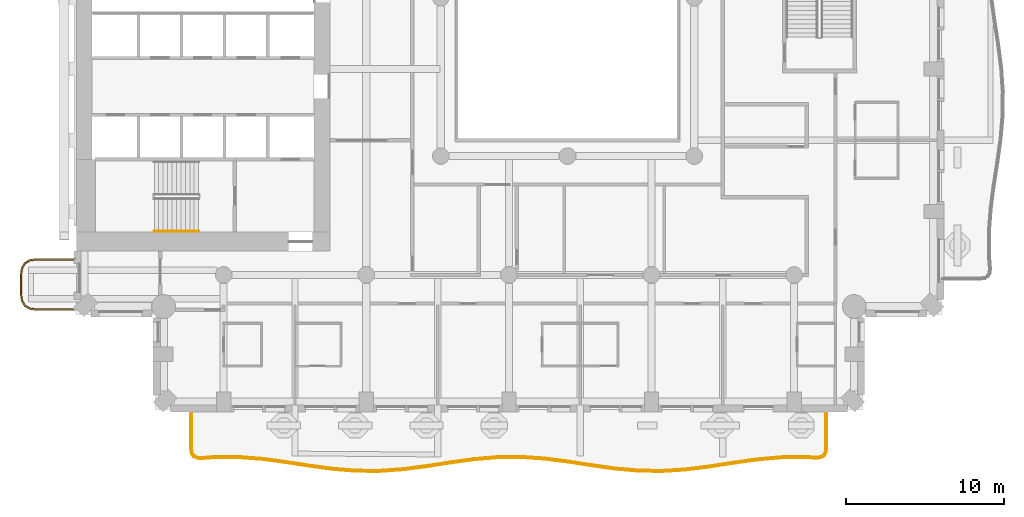
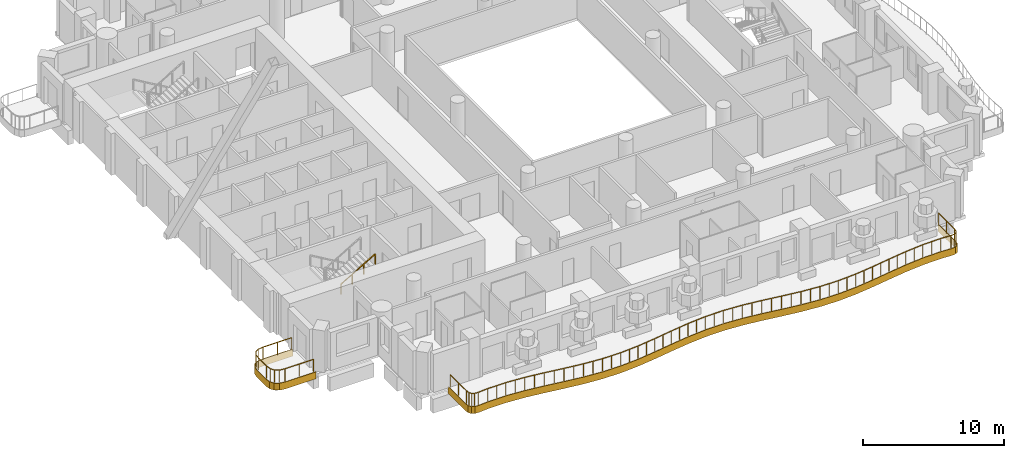
# One storey, part 14 of 21: 3 railings, 2 coverings.
"""IFC4 building model written with IfcOpenShell, lengths in metres."""

from ifc_helpers import new_model, si_unit, direction, frame, origin, origin_2d, place, context, subcontext, project, spatial, polyline, rectangle, outline, extrude, material, layer, layer_set, type_object, element, save


model = new_model("IFC4")

# Units and contexts
model_context = context("Model", 3, precision=1e-05, world=origin(), true_north=direction((0.0, 1.0)))
body_context = subcontext(model_context, "Body", "Model", "MODEL_VIEW")
ifc_project = project(units=[si_unit("LENGTHUNIT", "METRE"), si_unit("AREAUNIT", "SQUARE_METRE"), si_unit("VOLUMEUNIT", "CUBIC_METRE"), si_unit("PLANEANGLEUNIT", "RADIAN"), si_unit("MASSUNIT", "GRAM", prefix="KILO")], contexts=[model_context])

# Site, building, storey
site_placement = place(None, origin())
site = spatial("IfcSite", under=ifc_project, at=site_placement, CompositionType="ELEMENT")
building_placement = place(site_placement, origin())
building = spatial("IfcBuilding", under=site, at=building_placement, Name="Cypress Arch Tower", CompositionType="ELEMENT")
storey_placement = place(building_placement, frame((0.0, 0.0, 127.5)))
storey = spatial("IfcBuildingStorey", under=building, at=storey_placement, Name="L27", CompositionType="ELEMENT", Elevation=127.5)

# Coverings
ifc_material_1 = material(Name="White powder-coated aluminium fascia", Category="aluminium")
ifc_layer = layer(ifc_material_1, 0.050048828125)
ifc_layer_set = layer_set([ifc_layer], Name="Balcony fascia BF50")
covering_type = type_object("IfcCoveringType", Name="Balcony fascia BF50", PredefinedType="CLADDING", material=ifc_layer_set)
covering_1_placement = place(storey_placement, frame((0.0, 0.0, -0.60009765625)))
element("IfcCovering", 1, at=covering_1_placement, inside=storey, type_object=covering_type, Name="Balcony fascia L27-A00W1", PredefinedType="CLADDING", context=body_context, shape_type="SweptSolid", body=[
    extrude(outline(polyline([(-32.503662109375, -19.75), (-32.95458984375, -19.685546875), (-33.286376953125, -19.486328125), (-33.485595703125, -19.154541015625), (-33.550048828125, -18.70361328125), (-33.550048828125, -17.496337890625), (-33.485595703125, -17.04541015625), (-33.286376953125, -16.713623046875), (-32.95458984375, -16.514404296875), (-32.503662109375, -16.449951171875), (-30.0009765625, -16.449951171875), (-30.0009765625, -16.5), (-32.5, -16.5), (-32.9375, -16.5625), (-33.25, -16.75), (-33.4375, -17.0625), (-33.5, -17.5), (-33.5, -18.699951171875), (-33.4375, -19.137451171875), (-33.25, -19.449951171875), (-32.9375, -19.637451171875), (-32.5, -19.699951171875), (-30.0009765625, -19.699951171875), (-30.0009765625, -19.75), (-32.503662109375, -19.75)])), origin(), (0.0, 0.0, 1.0), 0.60009765625),
])
covering_2_placement = place(storey_placement, frame((0.0, 0.0, -0.60009765625)))
element("IfcCovering", 2, at=covering_2_placement, inside=storey, type_object=covering_type, Name="Balcony fascia L27-A03", PredefinedType="CLADDING", context=body_context, shape_type="SweptSolid", body=[
    extrude(outline(polyline([(17.39990234375, -28.4248046875), (17.356201171875, -28.72900390625), (17.218505859375, -28.951171875), (16.98876953125, -29.07568359375), (16.682373046875, -29.1015625), (15.86376953125, -29.0537109375), (14.382568359375, -29.083984375), (12.900390625, -29.223388671875), (11.41650390625, -29.435302734375), (9.930908203125, -29.66455078125), (8.443603515625, -29.8505859375), (6.954833984375, -29.9443359375), (5.4658203125, -29.921142578125), (3.9775390625, -29.786865234375), (2.49072265625, -29.577392578125), (1.005859375, -29.347412109375), (-0.47705078125, -29.157958984375), (-1.958740234375, -29.05810546875), (-3.440185546875, -29.07421875), (-4.922119140625, -29.201904296875), (-6.40576171875, -29.407958984375), (-7.89111328125, -29.63818359375), (-9.37841796875, -29.83251953125), (-10.866943359375, -29.939208984375), (-12.35595703125, -29.93017578125), (-13.84423828125, -29.807861328125), (-15.331298828125, -29.604736328125), (-16.81640625, -29.3740234375), (-18.299560546875, -29.1767578125), (-19.781494140625, -29.064208984375), (-21.262939453125, -29.06591796875), (-22.081298828125, -29.1298828125), (-22.387939453125, -29.10986328125), (-22.6181640625, -28.9892578125), (-22.756103515625, -28.76904296875), (-22.800048828125, -28.465087890625), (-22.800048828125, -26.0009765625), (-22.75, -26.0009765625), (-22.75, -28.46142578125), (-22.708251953125, -28.75146484375), (-22.5830078125, -28.951171875), (-22.3740234375, -29.060546875), (-22.081787109375, -29.07958984375), (-21.264892578125, -29.015869140625), (-19.779541015625, -29.01416015625), (-18.29443359375, -29.126953125), (-16.809326171875, -29.324462890625), (-15.323974609375, -29.55517578125), (-13.8388671875, -29.758056640625), (-12.353759765625, -29.880126953125), (-10.868408203125, -29.88916015625), (-9.38330078125, -29.78271484375), (-7.898193359375, -29.5888671875), (-6.412841796875, -29.3583984375), (-4.927734375, -29.152099609375), (-3.442626953125, -29.024169921875), (-1.95751953125, -29.008056640625), (-0.47216796875, -29.108154296875), (1.012939453125, -29.298095703125), (2.498046875, -29.52783203125), (3.9833984375, -29.7373046875), (5.468505859375, -29.87109375), (6.95361328125, -29.894287109375), (8.43896484375, -29.80078125), (9.924072265625, -29.614990234375), (11.4091796875, -29.385986328125), (12.89453125, -29.173583984375), (14.379638671875, -29.033935546875), (15.86474609375, -29.003662109375), (16.681640625, -29.051513671875), (16.97412109375, -29.02685546875), (17.182861328125, -28.91357421875), (17.308349609375, -28.711669921875), (17.35009765625, -28.421142578125), (17.35009765625, -26.0009765625), (17.39990234375, -26.0009765625), (17.39990234375, -28.4248046875)])), origin(), (0.0, 0.0, 1.0), 0.60009765625),
])

# Railings
ifc_material_2 = material(Name="Powder-coated steel posts and rods, 100 mm clear between rods", Category="steel")
railing_type_1 = type_object("IfcRailingType", Name="Balcony guard GR1100", PredefinedType="GUARDRAIL", material=ifc_material_2)
railing_1_placement = place(storey_placement, frame((-30.14990234375, -19.64990234375, 0.0)))
element("IfcRailing", 3, at=railing_1_placement, inside=storey, type_object=railing_type_1, Name="Balcony guard L27-A00W1", PredefinedType="GUARDRAIL", context=body_context, shape_type="SweptSolid", body=[
    extrude(rectangle(XDim=0.050048828125, YDim=0.050048828125, at=origin_2d()), frame((0.0, 0.0, 1.0751953125), z_axis=(-1.0, 0.0, 0.0), x_axis=(0.0, -1.0, 0.0)), (0.0, 0.0, 1.0), 2.346435546875),
    extrude(rectangle(XDim=0.050048828125, YDim=0.050048828125, at=origin_2d()), frame((-2.346435546875, 0.0, 1.0751953125), z_axis=(-0.989960888959, 0.141341566184, 0.0), x_axis=(-0.141341566184, -0.989960888959, 0.0)), (0.0, 0.0, 1.0), 0.428466796875),
    extrude(rectangle(XDim=0.050048828125, YDim=0.050048828125, at=origin_2d()), frame((-2.7705078125, 0.060546875, 1.0751953125), z_axis=(-0.857681904839, 0.514180659021, 0.0), x_axis=(-0.514180659021, -0.857681904839, 0.0)), (0.0, 0.0, 1.0), 0.341796875),
    extrude(rectangle(XDim=0.050048828125, YDim=0.050048828125, at=origin_2d()), frame((-3.063720703125, 0.236328125, 1.0751953125), z_axis=(-0.514180659021, 0.857681904839, 0.0), x_axis=(-0.857681904839, -0.514180659021, 0.0)), (0.0, 0.0, 1.0), 0.341796875),
    extrude(rectangle(XDim=0.050048828125, YDim=0.050048828125, at=origin_2d()), frame((-3.239501953125, 0.529541015625, 1.0751953125), z_axis=(-0.141421356237, 0.989949493661, 0.0), x_axis=(-0.989949493661, -0.141421356237, 0.0)), (0.0, 0.0, 1.0), 0.42822265625),
    extrude(rectangle(XDim=0.050048828125, YDim=0.050048828125, at=origin_2d()), frame((-3.300048828125, 0.953369140625, 1.0751953125), z_axis=(0.0, 1.0, 0.0), x_axis=(-1.0, 0.0, 0.0)), (0.0, 0.0, 1.0), 1.19287109375),
    extrude(rectangle(XDim=0.050048828125, YDim=0.050048828125, at=origin_2d()), frame((-3.300048828125, 2.146240234375, 1.0751953125), z_axis=(0.141341566184, 0.989960888959, 0.0), x_axis=(-0.989960888959, 0.141341566184, 0.0)), (0.0, 0.0, 1.0), 0.428466796875),
    extrude(rectangle(XDim=0.050048828125, YDim=0.050048828125, at=origin_2d()), frame((-3.239501953125, 2.5703125, 1.0751953125), z_axis=(0.514180659021, 0.857681904839, 0.0), x_axis=(-0.857681904839, 0.514180659021, 0.0)), (0.0, 0.0, 1.0), 0.341796875),
    extrude(rectangle(XDim=0.050048828125, YDim=0.050048828125, at=origin_2d()), frame((-3.063720703125, 2.863525390625, 1.0751953125), z_axis=(0.857681904839, 0.514180659021, 0.0), x_axis=(-0.514180659021, 0.857681904839, 0.0)), (0.0, 0.0, 1.0), 0.341796875),
    extrude(rectangle(XDim=0.050048828125, YDim=0.050048828125, at=origin_2d()), frame((-2.7705078125, 3.039306640625, 1.0751953125), z_axis=(0.989960888959, 0.141341566184, 0.0), x_axis=(-0.141341566184, 0.989960888959, 0.0)), (0.0, 0.0, 1.0), 0.428466796875),
    extrude(rectangle(XDim=0.050048828125, YDim=0.050048828125, at=origin_2d()), frame((-2.346435546875, 3.099853515625, 1.0751953125), z_axis=(1.0, 0.0, 0.0), x_axis=(0.0, 1.0, 0.0)), (0.0, 0.0, 1.0), 2.346435546875),
    extrude(rectangle(XDim=0.0400390625, YDim=0.0400390625, at=origin_2d()), origin(), (0.0, 0.0, 1.0), 1.050048828125),
    extrude(rectangle(XDim=0.0400390625, YDim=0.0400390625, at=origin_2d()), frame((-1.17333984375, 0.0, 0.0)), (0.0, 0.0, 1.0), 1.050048828125),
    extrude(rectangle(XDim=0.0400390625, YDim=0.0400390625, at=origin_2d()), frame((-2.346435546875, 0.0, 0.0)), (0.0, 0.0, 1.0), 1.050048828125),
    extrude(rectangle(XDim=0.0400390625, YDim=0.0400390625, at=origin_2d()), frame((-2.7705078125, 0.060546875, 0.0)), (0.0, 0.0, 1.0), 1.050048828125),
    extrude(rectangle(XDim=0.0400390625, YDim=0.0400390625, at=origin_2d()), frame((-3.063720703125, 0.236328125, 0.0)), (0.0, 0.0, 1.0), 1.050048828125),
    extrude(rectangle(XDim=0.0400390625, YDim=0.0400390625, at=origin_2d()), frame((-3.239501953125, 0.529541015625, 0.0)), (0.0, 0.0, 1.0), 1.050048828125),
    extrude(rectangle(XDim=0.0400390625, YDim=0.0400390625, at=origin_2d()), frame((-3.300048828125, 0.953369140625, 0.0)), (0.0, 0.0, 1.0), 1.050048828125),
    extrude(rectangle(XDim=0.0400390625, YDim=0.0400390625, at=origin_2d()), frame((-3.300048828125, 2.146240234375, 0.0)), (0.0, 0.0, 1.0), 1.050048828125),
    extrude(rectangle(XDim=0.0400390625, YDim=0.0400390625, at=origin_2d()), frame((-3.239501953125, 2.5703125, 0.0)), (0.0, 0.0, 1.0), 1.050048828125),
    extrude(rectangle(XDim=0.0400390625, YDim=0.0400390625, at=origin_2d()), frame((-3.063720703125, 2.863525390625, 0.0)), (0.0, 0.0, 1.0), 1.050048828125),
    extrude(rectangle(XDim=0.0400390625, YDim=0.0400390625, at=origin_2d()), frame((-2.7705078125, 3.039306640625, 0.0)), (0.0, 0.0, 1.0), 1.050048828125),
    extrude(rectangle(XDim=0.0400390625, YDim=0.0400390625, at=origin_2d()), frame((-2.346435546875, 3.099853515625, 0.0)), (0.0, 0.0, 1.0), 1.050048828125),
    extrude(rectangle(XDim=0.0400390625, YDim=0.0400390625, at=origin_2d()), frame((-1.17333984375, 3.099853515625, 0.0)), (0.0, 0.0, 1.0), 1.050048828125),
    extrude(rectangle(XDim=0.0400390625, YDim=0.0400390625, at=origin_2d()), frame((0.0, 3.099853515625, 0.0)), (0.0, 0.0, 1.0), 1.050048828125),
])
railing_2_placement = place(storey_placement, frame((17.300048828125, -26.14990234375, 0.0)))
element("IfcRailing", 4, at=railing_2_placement, inside=storey, type_object=railing_type_1, Name="Balcony guard L27-A03", PredefinedType="GUARDRAIL", context=body_context, shape_type="SweptSolid", body=[
    extrude(rectangle(XDim=0.050048828125, YDim=0.050048828125, at=origin_2d()), frame((0.0, 0.0, 1.0751953125), z_axis=(0.0, -1.0, 0.0), x_axis=(1.0, 0.0, 0.0)), (0.0, 0.0, 1.0), 2.267578125),
    extrude(rectangle(XDim=0.050048828125, YDim=0.050048828125, at=origin_2d()), frame((0.0, -2.267578125, 1.0751953125), z_axis=(-0.142399739356, -0.989809231232, 0.0), x_axis=(0.989809231232, -0.142399739356, 0.0)), (0.0, 0.0, 1.0), 0.279541015625),
    extrude(rectangle(XDim=0.050048828125, YDim=0.050048828125, at=origin_2d()), frame((-0.039794921875, -2.544189453125, 1.0751953125), z_axis=(-0.527533393135, -0.849534295439, 0.0), x_axis=(0.849534295439, -0.527533393135, 0.0)), (0.0, 0.0, 1.0), 0.2138671875),
    extrude(rectangle(XDim=0.050048828125, YDim=0.050048828125, at=origin_2d()), frame((-0.152587890625, -2.725830078125, 1.0751953125), z_axis=(-0.878853431666, -0.477091862904, 0.0), x_axis=(0.477091862904, -0.878853431666, 0.0)), (0.0, 0.0, 1.0), 0.2138671875),
    extrude(rectangle(XDim=0.050048828125, YDim=0.050048828125, at=origin_2d()), frame((-0.340576171875, -2.827880859375, 1.0751953125), z_axis=(-0.996405852593, -0.084707596583, 0.0), x_axis=(0.084707596583, -0.996405852593, 0.0)), (0.0, 0.0, 1.0), 0.279541015625),
    extrude(rectangle(XDim=0.050048828125, YDim=0.050048828125, at=origin_2d()), frame((-0.619140625, -2.8515625, 1.0751953125), z_axis=(-0.998281582304, 0.058599338165, 0.0), x_axis=(-0.058599338165, -0.998281582304, 0.0)), (0.0, 0.0, 1.0), 0.816650390625),
    extrude(rectangle(XDim=0.050048828125, YDim=0.050048828125, at=origin_2d()), frame((-1.434326171875, -2.8037109375, 1.0751953125), z_axis=(-0.999790040287, -0.020490859983, 0.0), x_axis=(0.020490859983, -0.999790040287, 0.0)), (0.0, 0.0, 1.0), 1.4892578125),
    extrude(rectangle(XDim=0.050048828125, YDim=0.050048828125, at=origin_2d()), frame((-2.92333984375, -2.834228515625, 1.0751953125), z_axis=(-0.995609998671, -0.09359877428, 0.0), x_axis=(0.09359877428, -0.995609998671, 0.0)), (0.0, 0.0, 1.0), 1.49462890625),
    extrude(rectangle(XDim=0.050048828125, YDim=0.050048828125, at=origin_2d()), frame((-4.411376953125, -2.97412109375, 1.0751953125), z_axis=(-0.989949493661, -0.141421356237, 0.0), x_axis=(0.141421356237, -0.989949493661, 0.0)), (0.0, 0.0, 1.0), 1.501953125),
    extrude(rectangle(XDim=0.050048828125, YDim=0.050048828125, at=origin_2d()), frame((-5.898193359375, -3.1865234375, 1.0751953125), z_axis=(-0.988311495715, -0.15244798273, 0.0), x_axis=(0.15244798273, -0.988311495715, 0.0)), (0.0, 0.0, 1.0), 1.502197265625),
    extrude(rectangle(XDim=0.050048828125, YDim=0.050048828125, at=origin_2d()), frame((-7.3828125, -3.41552734375, 1.0751953125), z_axis=(-0.992262789781, -0.12415537047, 0.0), x_axis=(0.12415537047, -0.992262789781, 0.0)), (0.0, 0.0, 1.0), 1.494384765625),
    extrude(rectangle(XDim=0.050048828125, YDim=0.050048828125, at=origin_2d()), frame((-8.86572265625, -3.60107421875, 1.0751953125), z_axis=(-0.998024967021, -0.062818510035, 0.0), x_axis=(0.062818510035, -0.998024967021, 0.0)), (0.0, 0.0, 1.0), 1.484619140625),
    extrude(rectangle(XDim=0.050048828125, YDim=0.050048828125, at=origin_2d()), frame((-10.347412109375, -3.6943359375, 1.0751953125), z_axis=(-0.999880034488, 0.015489242459, 0.0), x_axis=(-0.015489242459, -0.999880034488, 0.0)), (0.0, 0.0, 1.0), 1.481689453125),
    extrude(rectangle(XDim=0.050048828125, YDim=0.050048828125, at=origin_2d()), frame((-11.828857421875, -3.67138671875, 1.0751953125), z_axis=(-0.995950824457, 0.089899695569, 0.0), x_axis=(-0.089899695569, -0.995950824457, 0.0)), (0.0, 0.0, 1.0), 1.48828125),
    extrude(rectangle(XDim=0.050048828125, YDim=0.050048828125, at=origin_2d()), frame((-13.31103515625, -3.53759765625, 1.0751953125), z_axis=(-0.990202085007, 0.139641794776, 0.0), x_axis=(-0.139641794776, -0.990202085007, 0.0)), (0.0, 0.0, 1.0), 1.498291015625),
    extrude(rectangle(XDim=0.050048828125, YDim=0.050048828125, at=origin_2d()), frame((-14.794677734375, -3.328369140625, 1.0751953125), z_axis=(-0.988249318874, 0.152850527459, 0.0), x_axis=(-0.152850527459, -0.988249318874, 0.0)), (0.0, 0.0, 1.0), 1.5029296875),
    extrude(rectangle(XDim=0.050048828125, YDim=0.050048828125, at=origin_2d()), frame((-16.280029296875, -3.0986328125, 1.0751953125), z_axis=(-0.991923212799, 0.12683981989, 0.0), x_axis=(-0.12683981989, -0.991923212799, 0.0)), (0.0, 0.0, 1.0), 1.49951171875),
    extrude(rectangle(XDim=0.050048828125, YDim=0.050048828125, at=origin_2d()), frame((-17.767333984375, -2.908447265625, 1.0751953125), z_axis=(-0.997736386655, 0.067246581652, 0.0), x_axis=(-0.067246581652, -0.997736386655, 0.0)), (0.0, 0.0, 1.0), 1.4921875),
    extrude(rectangle(XDim=0.050048828125, YDim=0.050048828125, at=origin_2d()), frame((-19.256103515625, -2.80810546875, 1.0751953125), z_axis=(-0.999941453294, -0.010820812579, 0.0), x_axis=(0.010820812579, -0.999941453294, 0.0)), (0.0, 0.0, 1.0), 1.489013671875),
    extrude(rectangle(XDim=0.050048828125, YDim=0.050048828125, at=origin_2d()), frame((-20.7451171875, -2.82421875, 1.0751953125), z_axis=(-0.996298014389, -0.085966659378, 0.0), x_axis=(0.085966659378, -0.996298014389, 0.0)), (0.0, 0.0, 1.0), 1.493896484375),
    extrude(rectangle(XDim=0.050048828125, YDim=0.050048828125, at=origin_2d()), frame((-22.2333984375, -2.95263671875, 1.0751953125), z_axis=(-0.990488579214, -0.137594965191, 0.0), x_axis=(0.137594965191, -0.990488579214, 0.0)), (0.0, 0.0, 1.0), 1.5009765625),
    extrude(rectangle(XDim=0.050048828125, YDim=0.050048828125, at=origin_2d()), frame((-23.72021484375, -3.1591796875, 1.0751953125), z_axis=(-0.988196386101, -0.153192370885, 0.0), x_axis=(0.153192370885, -0.988196386101, 0.0)), (0.0, 0.0, 1.0), 1.5029296875),
    extrude(rectangle(XDim=0.050048828125, YDim=0.050048828125, at=origin_2d()), frame((-25.205322265625, -3.389404296875, 1.0751953125), z_axis=(-0.991587663956, -0.129436875311, 0.0), x_axis=(0.129436875311, -0.991587663956, 0.0)), (0.0, 0.0, 1.0), 1.495849609375),
    extrude(rectangle(XDim=0.050048828125, YDim=0.050048828125, at=origin_2d()), frame((-26.6884765625, -3.5830078125, 1.0751953125), z_axis=(-0.997441150114, -0.071492321684, 0.0), x_axis=(0.071492321684, -0.997441150114, 0.0)), (0.0, 0.0, 1.0), 1.485595703125),
    extrude(rectangle(XDim=0.050048828125, YDim=0.050048828125, at=origin_2d()), frame((-28.170166015625, -3.689208984375, 1.0751953125), z_axis=(-0.999981410393, 0.006097447624, 0.0), x_axis=(-0.006097447624, -0.999981410393, 0.0)), (0.0, 0.0, 1.0), 1.4814453125),
    extrude(rectangle(XDim=0.050048828125, YDim=0.050048828125, at=origin_2d()), frame((-29.651611328125, -3.68017578125, 1.0751953125), z_axis=(-0.996651382004, 0.081768103499, 0.0), x_axis=(-0.081768103499, -0.996651382004, 0.0)), (0.0, 0.0, 1.0), 1.48681640625),
    extrude(rectangle(XDim=0.050048828125, YDim=0.050048828125, at=origin_2d()), frame((-31.133544921875, -3.55859375, 1.0751953125), z_axis=(-0.990776507251, 0.135506135208, 0.0), x_axis=(-0.135506135208, -0.990776507251, 0.0)), (0.0, 0.0, 1.0), 1.497314453125),
    extrude(rectangle(XDim=0.050048828125, YDim=0.050048828125, at=origin_2d()), frame((-32.616943359375, -3.355712890625, 1.0751953125), z_axis=(-0.988171781301, 0.153351004693, 0.0), x_axis=(-0.153351004693, -0.988171781301, 0.0)), (0.0, 0.0, 1.0), 1.5029296875),
    extrude(rectangle(XDim=0.050048828125, YDim=0.050048828125, at=origin_2d()), frame((-34.10205078125, -3.125244140625, 1.0751953125), z_axis=(-0.991254880606, 0.131961212766, 0.0), x_axis=(-0.131961212766, -0.991254880606, 0.0)), (0.0, 0.0, 1.0), 1.50048828125),
    extrude(rectangle(XDim=0.050048828125, YDim=0.050048828125, at=origin_2d()), frame((-35.58935546875, -2.92724609375, 1.0751953125), z_axis=(-0.997129046234, 0.075720969068, 0.0), x_axis=(-0.075720969068, -0.997129046234, 0.0)), (0.0, 0.0, 1.0), 1.492919921875),
    extrude(rectangle(XDim=0.050048828125, YDim=0.050048828125, at=origin_2d()), frame((-37.077880859375, -2.814208984375, 1.0751953125), z_axis=(-0.999999139735, -0.001311689313, 0.0), x_axis=(0.001311689313, -0.999999139735, 0.0)), (0.0, 0.0, 1.0), 1.489013671875),
    extrude(rectangle(XDim=0.050048828125, YDim=0.050048828125, at=origin_2d()), frame((-38.56689453125, -2.816162109375, 1.0751953125), z_axis=(-0.996982033849, -0.077632623181, 0.0), x_axis=(0.077632623181, -0.996982033849, 0.0)), (0.0, 0.0, 1.0), 0.817626953125),
    extrude(rectangle(XDim=0.050048828125, YDim=0.050048828125, at=origin_2d()), frame((-39.382080078125, -2.879638671875, 1.0751953125), z_axis=(-0.997899832537, 0.064775954042, 0.0), x_axis=(-0.064775954042, -0.997899832537, 0.0)), (0.0, 0.0, 1.0), 0.27880859375),
    extrude(rectangle(XDim=0.050048828125, YDim=0.050048828125, at=origin_2d()), frame((-39.660400390625, -2.861572265625, 1.0751953125), z_axis=(-0.885492789601, 0.46465311746, 0.0), x_axis=(-0.46465311746, -0.885492789601, 0.0)), (0.0, 0.0, 1.0), 0.211669921875),
    extrude(rectangle(XDim=0.050048828125, YDim=0.050048828125, at=origin_2d()), frame((-39.847900390625, -2.76318359375, 1.0751953125), z_axis=(-0.531036230008, 0.847349114839, 0.0), x_axis=(-0.847349114839, -0.531036230008, 0.0)), (0.0, 0.0, 1.0), 0.21142578125),
    extrude(rectangle(XDim=0.050048828125, YDim=0.050048828125, at=origin_2d()), frame((-39.960205078125, -2.583984375, 1.0751953125), z_axis=(-0.142646432008, 0.989773709206, 0.0), x_axis=(-0.989773709206, -0.142646432008, 0.0)), (0.0, 0.0, 1.0), 0.279052734375),
    extrude(rectangle(XDim=0.050048828125, YDim=0.050048828125, at=origin_2d()), frame((-40.0, -2.307861328125, 1.0751953125), z_axis=(0.0, 1.0, 0.0), x_axis=(-1.0, 0.0, 0.0)), (0.0, 0.0, 1.0), 2.307861328125),
    extrude(rectangle(XDim=0.0400390625, YDim=0.0400390625, at=origin_2d()), origin(), (0.0, 0.0, 1.0), 1.050048828125),
    extrude(rectangle(XDim=0.0400390625, YDim=0.0400390625, at=origin_2d()), frame((0.0, -1.1337890625, 0.0)), (0.0, 0.0, 1.0), 1.050048828125),
    extrude(rectangle(XDim=0.0400390625, YDim=0.0400390625, at=origin_2d()), frame((0.0, -2.267578125, 0.0)), (0.0, 0.0, 1.0), 1.050048828125),
    extrude(rectangle(XDim=0.0400390625, YDim=0.0400390625, at=origin_2d()), frame((-0.039794921875, -2.544189453125, 0.0)), (0.0, 0.0, 1.0), 1.050048828125),
    extrude(rectangle(XDim=0.0400390625, YDim=0.0400390625, at=origin_2d()), frame((-0.152587890625, -2.725830078125, 0.0)), (0.0, 0.0, 1.0), 1.050048828125),
    extrude(rectangle(XDim=0.0400390625, YDim=0.0400390625, at=origin_2d()), frame((-0.340576171875, -2.827880859375, 0.0)), (0.0, 0.0, 1.0), 1.050048828125),
    extrude(rectangle(XDim=0.0400390625, YDim=0.0400390625, at=origin_2d()), frame((-0.619140625, -2.8515625, 0.0)), (0.0, 0.0, 1.0), 1.050048828125),
    extrude(rectangle(XDim=0.0400390625, YDim=0.0400390625, at=origin_2d()), frame((-1.434326171875, -2.8037109375, 0.0)), (0.0, 0.0, 1.0), 1.050048828125),
    extrude(rectangle(XDim=0.0400390625, YDim=0.0400390625, at=origin_2d()), frame((-2.1787109375, -2.81884765625, 0.0)), (0.0, 0.0, 1.0), 1.050048828125),
    extrude(rectangle(XDim=0.0400390625, YDim=0.0400390625, at=origin_2d()), frame((-2.92333984375, -2.834228515625, 0.0)), (0.0, 0.0, 1.0), 1.050048828125),
    extrude(rectangle(XDim=0.0400390625, YDim=0.0400390625, at=origin_2d()), frame((-3.66748046875, -2.904296875, 0.0)), (0.0, 0.0, 1.0), 1.050048828125),
    extrude(rectangle(XDim=0.0400390625, YDim=0.0400390625, at=origin_2d()), frame((-4.411376953125, -2.97412109375, 0.0)), (0.0, 0.0, 1.0), 1.050048828125),
    extrude(rectangle(XDim=0.0400390625, YDim=0.0400390625, at=origin_2d()), frame((-5.15478515625, -3.080322265625, 0.0)), (0.0, 0.0, 1.0), 1.050048828125),
    extrude(rectangle(XDim=0.0400390625, YDim=0.0400390625, at=origin_2d()), frame((-5.898193359375, -3.1865234375, 0.0)), (0.0, 0.0, 1.0), 1.050048828125),
    extrude(rectangle(XDim=0.0400390625, YDim=0.0400390625, at=origin_2d()), frame((-6.640625, -3.301025390625, 0.0)), (0.0, 0.0, 1.0), 1.050048828125),
    extrude(rectangle(XDim=0.0400390625, YDim=0.0400390625, at=origin_2d()), frame((-7.3828125, -3.41552734375, 0.0)), (0.0, 0.0, 1.0), 1.050048828125),
    extrude(rectangle(XDim=0.0400390625, YDim=0.0400390625, at=origin_2d()), frame((-8.124267578125, -3.50830078125, 0.0)), (0.0, 0.0, 1.0), 1.050048828125),
    extrude(rectangle(XDim=0.0400390625, YDim=0.0400390625, at=origin_2d()), frame((-8.86572265625, -3.60107421875, 0.0)), (0.0, 0.0, 1.0), 1.050048828125),
    extrude(rectangle(XDim=0.0400390625, YDim=0.0400390625, at=origin_2d()), frame((-9.6064453125, -3.647705078125, 0.0)), (0.0, 0.0, 1.0), 1.050048828125),
    extrude(rectangle(XDim=0.0400390625, YDim=0.0400390625, at=origin_2d()), frame((-10.347412109375, -3.6943359375, 0.0)), (0.0, 0.0, 1.0), 1.050048828125),
    extrude(rectangle(XDim=0.0400390625, YDim=0.0400390625, at=origin_2d()), frame((-11.088134765625, -3.682861328125, 0.0)), (0.0, 0.0, 1.0), 1.050048828125),
    extrude(rectangle(XDim=0.0400390625, YDim=0.0400390625, at=origin_2d()), frame((-11.828857421875, -3.67138671875, 0.0)), (0.0, 0.0, 1.0), 1.050048828125),
    extrude(rectangle(XDim=0.0400390625, YDim=0.0400390625, at=origin_2d()), frame((-12.56982421875, -3.6044921875, 0.0)), (0.0, 0.0, 1.0), 1.050048828125),
    extrude(rectangle(XDim=0.0400390625, YDim=0.0400390625, at=origin_2d()), frame((-13.31103515625, -3.53759765625, 0.0)), (0.0, 0.0, 1.0), 1.050048828125),
    extrude(rectangle(XDim=0.0400390625, YDim=0.0400390625, at=origin_2d()), frame((-14.052734375, -3.43310546875, 0.0)), (0.0, 0.0, 1.0), 1.050048828125),
    extrude(rectangle(XDim=0.0400390625, YDim=0.0400390625, at=origin_2d()), frame((-14.794677734375, -3.328369140625, 0.0)), (0.0, 0.0, 1.0), 1.050048828125),
    extrude(rectangle(XDim=0.0400390625, YDim=0.0400390625, at=origin_2d()), frame((-15.537353515625, -3.21337890625, 0.0)), (0.0, 0.0, 1.0), 1.050048828125),
    extrude(rectangle(XDim=0.0400390625, YDim=0.0400390625, at=origin_2d()), frame((-16.280029296875, -3.0986328125, 0.0)), (0.0, 0.0, 1.0), 1.050048828125),
    extrude(rectangle(XDim=0.0400390625, YDim=0.0400390625, at=origin_2d()), frame((-17.023681640625, -3.00341796875, 0.0)), (0.0, 0.0, 1.0), 1.050048828125),
    extrude(rectangle(XDim=0.0400390625, YDim=0.0400390625, at=origin_2d()), frame((-17.767333984375, -2.908447265625, 0.0)), (0.0, 0.0, 1.0), 1.050048828125),
    extrude(rectangle(XDim=0.0400390625, YDim=0.0400390625, at=origin_2d()), frame((-18.51171875, -2.8583984375, 0.0)), (0.0, 0.0, 1.0), 1.050048828125),
    extrude(rectangle(XDim=0.0400390625, YDim=0.0400390625, at=origin_2d()), frame((-19.256103515625, -2.80810546875, 0.0)), (0.0, 0.0, 1.0), 1.050048828125),
    extrude(rectangle(XDim=0.0400390625, YDim=0.0400390625, at=origin_2d()), frame((-20.00048828125, -2.816162109375, 0.0)), (0.0, 0.0, 1.0), 1.050048828125),
    extrude(rectangle(XDim=0.0400390625, YDim=0.0400390625, at=origin_2d()), frame((-20.7451171875, -2.82421875, 0.0)), (0.0, 0.0, 1.0), 1.050048828125),
    extrude(rectangle(XDim=0.0400390625, YDim=0.0400390625, at=origin_2d()), frame((-21.4892578125, -2.888427734375, 0.0)), (0.0, 0.0, 1.0), 1.050048828125),
    extrude(rectangle(XDim=0.0400390625, YDim=0.0400390625, at=origin_2d()), frame((-22.2333984375, -2.95263671875, 0.0)), (0.0, 0.0, 1.0), 1.050048828125),
    extrude(rectangle(XDim=0.0400390625, YDim=0.0400390625, at=origin_2d()), frame((-22.976806640625, -3.055908203125, 0.0)), (0.0, 0.0, 1.0), 1.050048828125),
    extrude(rectangle(XDim=0.0400390625, YDim=0.0400390625, at=origin_2d()), frame((-23.72021484375, -3.1591796875, 0.0)), (0.0, 0.0, 1.0), 1.050048828125),
    extrude(rectangle(XDim=0.0400390625, YDim=0.0400390625, at=origin_2d()), frame((-24.462890625, -3.2744140625, 0.0)), (0.0, 0.0, 1.0), 1.050048828125),
    extrude(rectangle(XDim=0.0400390625, YDim=0.0400390625, at=origin_2d()), frame((-25.205322265625, -3.389404296875, 0.0)), (0.0, 0.0, 1.0), 1.050048828125),
    extrude(rectangle(XDim=0.0400390625, YDim=0.0400390625, at=origin_2d()), frame((-25.94677734375, -3.486328125, 0.0)), (0.0, 0.0, 1.0), 1.050048828125),
    extrude(rectangle(XDim=0.0400390625, YDim=0.0400390625, at=origin_2d()), frame((-26.6884765625, -3.5830078125, 0.0)), (0.0, 0.0, 1.0), 1.050048828125),
    extrude(rectangle(XDim=0.0400390625, YDim=0.0400390625, at=origin_2d()), frame((-27.42919921875, -3.63623046875, 0.0)), (0.0, 0.0, 1.0), 1.050048828125),
    extrude(rectangle(XDim=0.0400390625, YDim=0.0400390625, at=origin_2d()), frame((-28.170166015625, -3.689208984375, 0.0)), (0.0, 0.0, 1.0), 1.050048828125),
    extrude(rectangle(XDim=0.0400390625, YDim=0.0400390625, at=origin_2d()), frame((-28.910888671875, -3.6845703125, 0.0)), (0.0, 0.0, 1.0), 1.050048828125),
    extrude(rectangle(XDim=0.0400390625, YDim=0.0400390625, at=origin_2d()), frame((-29.651611328125, -3.68017578125, 0.0)), (0.0, 0.0, 1.0), 1.050048828125),
    extrude(rectangle(XDim=0.0400390625, YDim=0.0400390625, at=origin_2d()), frame((-30.392578125, -3.619384765625, 0.0)), (0.0, 0.0, 1.0), 1.050048828125),
    extrude(rectangle(XDim=0.0400390625, YDim=0.0400390625, at=origin_2d()), frame((-31.133544921875, -3.55859375, 0.0)), (0.0, 0.0, 1.0), 1.050048828125),
    extrude(rectangle(XDim=0.0400390625, YDim=0.0400390625, at=origin_2d()), frame((-31.875244140625, -3.45703125, 0.0)), (0.0, 0.0, 1.0), 1.050048828125),
    extrude(rectangle(XDim=0.0400390625, YDim=0.0400390625, at=origin_2d()), frame((-32.616943359375, -3.355712890625, 0.0)), (0.0, 0.0, 1.0), 1.050048828125),
    extrude(rectangle(XDim=0.0400390625, YDim=0.0400390625, at=origin_2d()), frame((-33.359375, -3.240478515625, 0.0)), (0.0, 0.0, 1.0), 1.050048828125),
    extrude(rectangle(XDim=0.0400390625, YDim=0.0400390625, at=origin_2d()), frame((-34.10205078125, -3.125244140625, 0.0)), (0.0, 0.0, 1.0), 1.050048828125),
    extrude(rectangle(XDim=0.0400390625, YDim=0.0400390625, at=origin_2d()), frame((-34.845703125, -3.0263671875, 0.0)), (0.0, 0.0, 1.0), 1.050048828125),
    extrude(rectangle(XDim=0.0400390625, YDim=0.0400390625, at=origin_2d()), frame((-35.58935546875, -2.92724609375, 0.0)), (0.0, 0.0, 1.0), 1.050048828125),
    extrude(rectangle(XDim=0.0400390625, YDim=0.0400390625, at=origin_2d()), frame((-36.33349609375, -2.87060546875, 0.0)), (0.0, 0.0, 1.0), 1.050048828125),
    extrude(rectangle(XDim=0.0400390625, YDim=0.0400390625, at=origin_2d()), frame((-37.077880859375, -2.814208984375, 0.0)), (0.0, 0.0, 1.0), 1.050048828125),
    extrude(rectangle(XDim=0.0400390625, YDim=0.0400390625, at=origin_2d()), frame((-37.822265625, -2.815185546875, 0.0)), (0.0, 0.0, 1.0), 1.050048828125),
    extrude(rectangle(XDim=0.0400390625, YDim=0.0400390625, at=origin_2d()), frame((-38.56689453125, -2.816162109375, 0.0)), (0.0, 0.0, 1.0), 1.050048828125),
    extrude(rectangle(XDim=0.0400390625, YDim=0.0400390625, at=origin_2d()), frame((-39.382080078125, -2.879638671875, 0.0)), (0.0, 0.0, 1.0), 1.050048828125),
    extrude(rectangle(XDim=0.0400390625, YDim=0.0400390625, at=origin_2d()), frame((-39.660400390625, -2.861572265625, 0.0)), (0.0, 0.0, 1.0), 1.050048828125),
    extrude(rectangle(XDim=0.0400390625, YDim=0.0400390625, at=origin_2d()), frame((-39.847900390625, -2.76318359375, 0.0)), (0.0, 0.0, 1.0), 1.050048828125),
    extrude(rectangle(XDim=0.0400390625, YDim=0.0400390625, at=origin_2d()), frame((-39.960205078125, -2.583984375, 0.0)), (0.0, 0.0, 1.0), 1.050048828125),
    extrude(rectangle(XDim=0.0400390625, YDim=0.0400390625, at=origin_2d()), frame((-40.0, -2.307861328125, 0.0)), (0.0, 0.0, 1.0), 1.050048828125),
    extrude(rectangle(XDim=0.0400390625, YDim=0.0400390625, at=origin_2d()), frame((-40.0, -1.15380859375, 0.0)), (0.0, 0.0, 1.0), 1.050048828125),
    extrude(rectangle(XDim=0.0400390625, YDim=0.0400390625, at=origin_2d()), frame((-40.0, 0.0, 0.0)), (0.0, 0.0, 1.0), 1.050048828125),
])
ifc_material_3 = material(Name="Black powder-coated steel square bar 48 mm", Category="steel")
railing_type_2 = type_object("IfcRailingType", Name="Stair handrail HR1", PredefinedType="HANDRAIL", material=ifc_material_3)
railing_3_placement = place(storey_placement, frame((-25.074951171875, -14.75, 1.963623046875)))
element("IfcRailing", 5, at=railing_3_placement, inside=storey, type_object=railing_type_2, Name="L27 A stair handrail 2", PredefinedType="HANDRAIL", context=body_context, shape_type="SweptSolid", body=[
    extrude(rectangle(XDim=0.048095703125, YDim=0.048095703125, at=origin_2d()), frame((0.0, 0.0, 0.8759765625), z_axis=(0.863360870873, 0.0, 0.504586966384), x_axis=(0.0, 1.0, 0.0)), (0.0, 0.0, 1.0), 3.2431640625),
    extrude(rectangle(XDim=0.0419921875, YDim=0.0419921875, at=origin_2d()), origin(), (0.0, 0.0, 1.0), 0.851806640625),
    extrude(rectangle(XDim=0.0419921875, YDim=0.0419921875, at=origin_2d()), frame((0.933349609375, 0.0, 0.54541015625)), (0.0, 0.0, 1.0), 0.851806640625),
    extrude(rectangle(XDim=0.0419921875, YDim=0.0419921875, at=origin_2d()), frame((1.86669921875, 0.0, 1.091064453125)), (0.0, 0.0, 1.0), 0.851806640625),
    extrude(rectangle(XDim=0.0419921875, YDim=0.0419921875, at=origin_2d()), frame((2.800048828125, 0.0, 1.636474609375)), (0.0, 0.0, 1.0), 0.851806640625),
])

save(model, "model.ifc")
